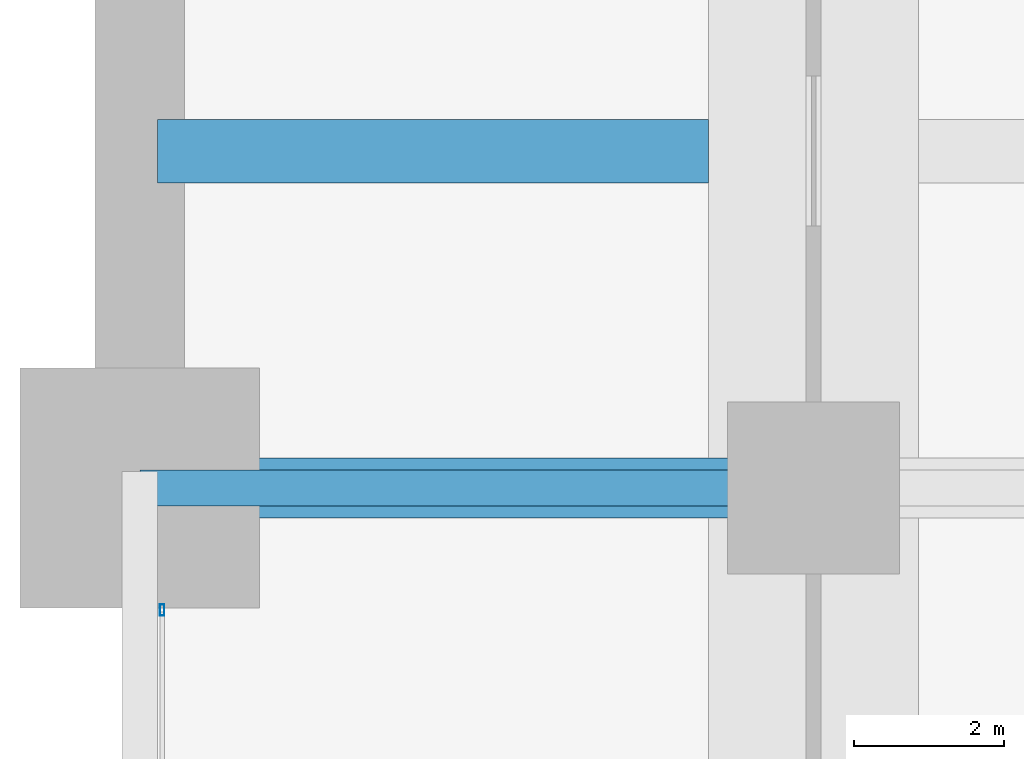
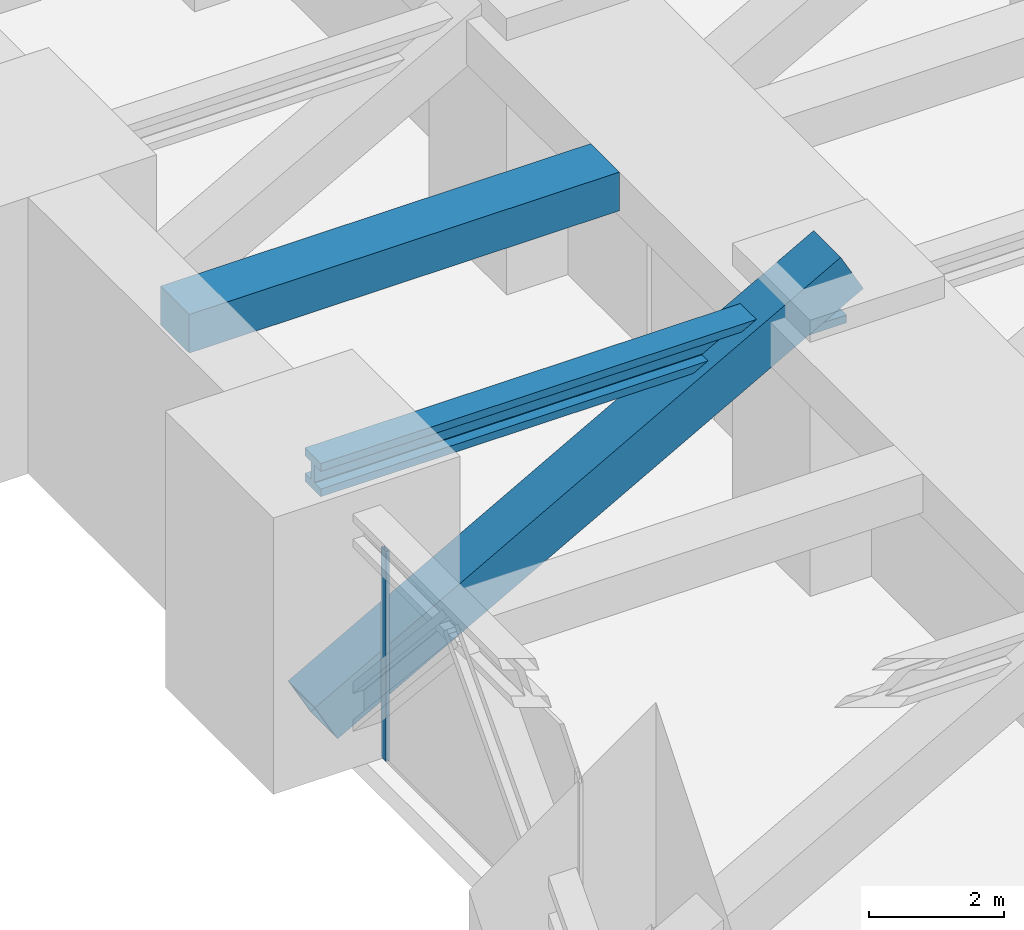
# One storey, part 8 of 35: 2 beams, 2 members, 1 element without a shape of its own.
"""IFC4 building model written with IfcOpenShell, lengths in metres."""

from ifc_helpers import new_model, si_unit, direction, frame, origin, origin_2d, place, context, subcontext, project, spatial, rectangle, hollow_rectangle, i_section, extrude, material, material_profile, profile_set, type_object, element, aggregate, save


model = new_model("IFC4")

# Units and contexts
model_context = context("Model", 3, precision=1e-05, world=origin(), true_north=direction((0.0, 1.0)))
body_context = subcontext(model_context, "Body", "Model", "MODEL_VIEW")
ifc_project = project(units=[si_unit("LENGTHUNIT", "METRE"), si_unit("AREAUNIT", "SQUARE_METRE"), si_unit("VOLUMEUNIT", "CUBIC_METRE"), si_unit("PLANEANGLEUNIT", "RADIAN"), si_unit("MASSUNIT", "GRAM", prefix="KILO")], contexts=[model_context])

# Site, building, storey
site_placement = place(None, origin())
site = spatial("IfcSite", under=ifc_project, at=site_placement, CompositionType="ELEMENT")
building_placement = place(site_placement, origin())
building = spatial("IfcBuilding", under=site, at=building_placement, Name="Zorevar Civic Tower", CompositionType="ELEMENT")
storey_placement = place(building_placement, frame((0.0, 0.0, 80.0)))
storey = spatial("IfcBuildingStorey", under=building, at=storey_placement, Name="L19", CompositionType="ELEMENT", Elevation=80.0)

# Beam
ifc_material_1 = material(Name="Concrete C50/60", Category="concrete")
ifc_material_profile_1 = material_profile(ifc_material_1, rectangle(XDim=0.85009765625, YDim=0.699951171875, at=origin_2d()), Name="RC 850x700")
ifc_profile_set_1 = profile_set([ifc_material_profile_1], Name="Concrete C50/60")
beam_type_1 = type_object("IfcBeamType", Name="Beam RC 850x700", PredefinedType="BEAM", material=ifc_profile_set_1)
beam_1_placement = place(storey_placement, frame((0.238037109375, 31.5, 4.25), z_axis=(1.0, 0.0, 0.0), x_axis=(0.0, 1.0, 0.0)))
element("IfcBeam", 1, at=beam_1_placement, inside=storey, type_object=beam_type_1, Name="Secondary beam L20", PredefinedType="BEAM", context=body_context, shape_type="SweptSolid", body=[
    extrude(rectangle(XDim=0.85009765625, YDim=0.699951171875, at=origin_2d()), origin(), (0.0, 0.0, 1.0), 7.362060546875),
])

# Curtain wall, member
ifc_material_2 = material(Name="Black aluminium louvres", Category="aluminium")
curtain_wall_type = type_object("IfcCurtainWallType", Name="Louvred curtain wall CW6 refuge", PredefinedType="NOTDEFINED", material=ifc_material_2)
curtain_wall_placement = place(storey_placement, origin())
curtain_wall = element("IfcCurtainWall", 2, at=curtain_wall_placement, inside=storey, type_object=curtain_wall_type, Name="CW6 L19", PredefinedType="NOTDEFINED")
ifc_material_3 = material(Name="Aluminium, black anodised", Category="aluminium")
ifc_material_profile_2 = material_profile(ifc_material_3, hollow_rectangle(XDim=0.06005859375, YDim=0.14990234375, WallThickness=0.00390625, at=origin_2d()), Name="AL 150x60x4")
ifc_profile_set_2 = profile_set([ifc_material_profile_2], Name="Aluminium, black anodised")
member_type_1 = type_object("IfcMemberType", Name="CW6 mullion AL 150x60x4", PredefinedType="MULLION", material=ifc_profile_set_2)
member_1_placement = place(storey_placement, frame((0.300048828125, 25.3701171875, 0.0), z_axis=(0.0, 0.0, 1.0), x_axis=(-1.0, 0.0, 0.0)))
member_1 = element("IfcMember", 3, at=member_1_placement, type_object=member_type_1, Name="CW6 mullion 2", PredefinedType="MULLION", context=body_context, shape_type="SweptSolid", body=[
    extrude(hollow_rectangle(XDim=0.06005859375, YDim=0.14990234375, WallThickness=0.00390625, at=origin_2d()), origin(), (0.0, 0.0, 1.0), 3.800048828125),
])
aggregate(curtain_wall, [member_1])

# Beam
ifc_material_4 = material(Name="Steel S460M (HISTAR 460)", Category="steel")
ifc_material_profile_3 = material_profile(ifc_material_4, i_section(OverallWidth=0.47607421875, OverallDepth=0.60009765625, WebThickness=0.10009765625, FlangeThickness=0.139892578125, FilletRadius=0.014892578125, at=origin_2d()), Name="HD 400x1299")
ifc_profile_set_3 = profile_set([ifc_material_profile_3], Name="Steel S460M (HISTAR 460)")
beam_type_2 = type_object("IfcBeamType", Name="Outrigger chord HD 400x1299", PredefinedType="BEAM", material=ifc_profile_set_3)
beam_2_placement = place(storey_placement, frame((0.0, 27.0, 4.300048828125), z_axis=(1.0, 0.0, 0.0), x_axis=(0.0, 1.0, 0.0)))
element("IfcBeam", 4, at=beam_2_placement, inside=storey, type_object=beam_type_2, Name="Outrigger chord L20", PredefinedType="BEAM", context=body_context, shape_type="SweptSolid", body=[
    extrude(i_section(OverallWidth=0.47607421875, OverallDepth=0.60009765625, WebThickness=0.10009765625, FlangeThickness=0.139892578125, FilletRadius=0.014892578125, at=origin_2d()), origin(), (0.0, 0.0, 1.0), 9.0),
])

# Member
ifc_material_5 = material(Name="Steel S460M (HISTAR 460)", Category="steel")
ifc_material_profile_4 = material_profile(ifc_material_5, hollow_rectangle(XDim=0.800048828125, YDim=0.800048828125, WallThickness=0.06005859375, at=origin_2d()), Name="BOX 800x800x60")
ifc_profile_set_4 = profile_set([ifc_material_profile_4], Name="Steel S460M (HISTAR 460)")
member_type_2 = type_object("IfcMemberType", Name="Outrigger diagonal BOX 800x800x60", PredefinedType="BRACE", material=ifc_profile_set_4)
member_2_placement = place(storey_placement, frame((9.0, 27.0, 5.0), z_axis=(-0.874157276122, 0.0, -0.485642931179), x_axis=(0.0, -1.0, 0.0)))
element("IfcMember", 5, at=member_2_placement, inside=storey, type_object=member_type_2, Name="Outrigger diagonal W L19", PredefinedType="BRACE", context=body_context, shape_type="SweptSolid", body=[
    extrude(hollow_rectangle(XDim=0.800048828125, YDim=0.800048828125, WallThickness=0.06005859375, at=origin_2d()), origin(), (0.0, 0.0, 1.0), 10.295654296875),
])

save(model, "model.ifc")
